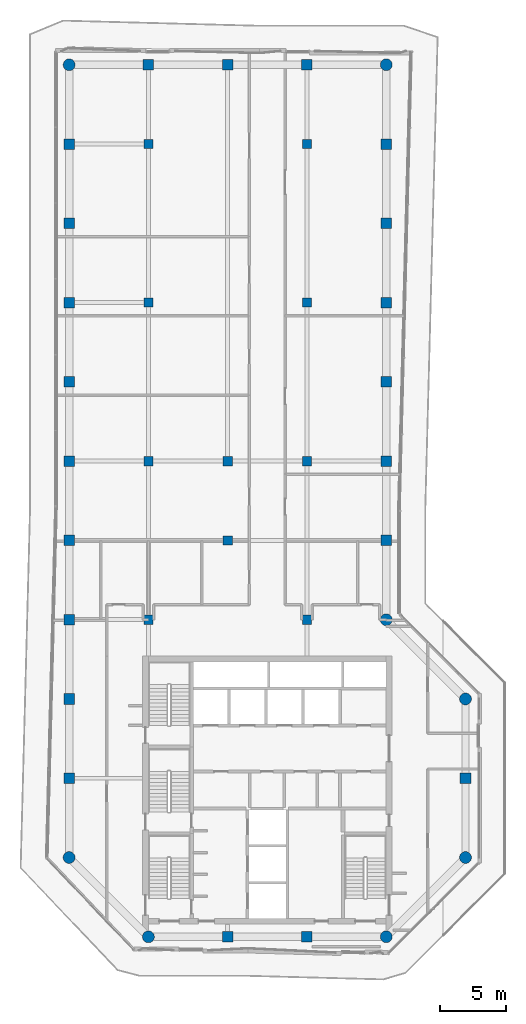
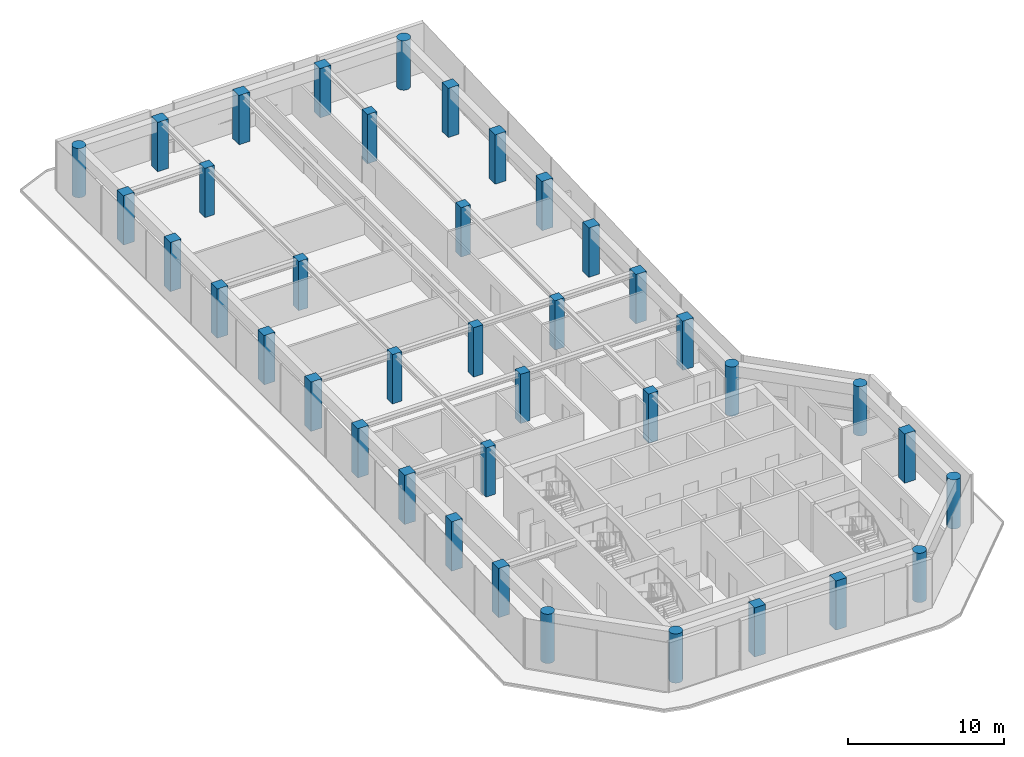
# One storey, part 1 of 19: 39 columns.
"""IFC4 building model written with IfcOpenShell, lengths in metres."""

from ifc_helpers import new_model, si_unit, direction, frame, origin, origin_2d, place, context, subcontext, project, spatial, rectangle, circle, extrude, material, material_profile, profile_set, type_object, element, save


model = new_model("IFC4")

# Units and contexts
model_context = context("Model", 3, precision=1e-05, world=origin(), true_north=direction((0.0, 1.0)))
body_context = subcontext(model_context, "Body", "Model", "MODEL_VIEW")
ifc_project = project(units=[si_unit("LENGTHUNIT", "METRE"), si_unit("AREAUNIT", "SQUARE_METRE"), si_unit("VOLUMEUNIT", "CUBIC_METRE"), si_unit("PLANEANGLEUNIT", "RADIAN"), si_unit("MASSUNIT", "GRAM", prefix="KILO")], contexts=[model_context])

# Site, building, storey
site_placement = place(None, origin())
site = spatial("IfcSite", under=ifc_project, at=site_placement, CompositionType="ELEMENT")
building_placement = place(site_placement, origin())
building = spatial("IfcBuilding", under=site, at=building_placement, Name="Welwitschia Terrace Campus", CompositionType="ELEMENT")
storey_placement = place(building_placement, frame((0.0, 0.0, 234.800048828125)))
storey = spatial("IfcBuildingStorey", under=building, at=storey_placement, Name="L52", CompositionType="ELEMENT", Elevation=234.800048828125)

# Columns
ifc_material_1 = material(Name="Concrete C50/60", Category="concrete")
ifc_material_profile_1 = material_profile(ifc_material_1, circle(Radius=0.449951171875, at=origin_2d()))
ifc_profile_set_1 = profile_set([ifc_material_profile_1], Name="Concrete C50/60")
column_type_1 = type_object("IfcColumnType", Name="Corner column 900 dia", PredefinedType="COLUMN", material=ifc_profile_set_1)
for number, where, z_axis, x_axis, name in (
    (1, (0.0, 10.0, 0.0), (0.0, 0.0, 1.0), (1.0, 0.0, 0.0), "Column C32"),
    (2, (0.0, 70.0, 0.0), (0.0, 0.0, 1.0), (1.0, 0.0, 0.0), "Column C32"),
    (3, (6.0, 4.0, 0.0), (0.0, 0.0, 1.0), (1.0, 0.0, 0.0), "Column C32"),
    (4, (24.0, 4.0, 0.0), (0.0, 0.0, 1.0), (1.0, 0.0, 0.0), "Column C32"),
    (5, (24.0, 28.0, 0.0), (0.0, 0.0, 1.0), (1.0, 0.0, 0.0), "Column C32"),
    (6, (24.0, 70.0, 0.0), (0.0, 0.0, 1.0), (1.0, 0.0, 0.0), "Column C32"),
    (7, (30.0, 10.0, 0.0), (0.0, 0.0, 1.0), (1.0, 0.0, 0.0), "Column C32"),
    (8, (30.0, 22.0, 0.0), (0.0, 0.0, 1.0), (1.0, 0.0, 0.0), "Column C32"),
):
    element("IfcColumn", number, at=place(storey_placement, frame(where, z_axis=z_axis, x_axis=x_axis)), inside=storey, type_object=column_type_1, Name=name, PredefinedType="COLUMN", context=body_context, shape_type="SweptSolid", body=[
        extrude(circle(Radius=0.449951171875, at=origin_2d()), origin(), (0.0, 0.0, 1.0), 3.849853515625),
    ])
ifc_material_2 = material(Name="Concrete C50/60", Category="concrete")
ifc_material_profile_2 = material_profile(ifc_material_2, rectangle(XDim=0.699951171875, YDim=0.699951171875, at=origin_2d()))
ifc_profile_set_2 = profile_set([ifc_material_profile_2], Name="Concrete C50/60")
column_type_2 = type_object("IfcColumnType", Name="Interior column 700x700", PredefinedType="COLUMN", material=ifc_profile_set_2)
for number, where, z_axis, x_axis, name in (
    (9, (6.0, 28.0, 0.0), (0.0, 0.0, 1.0), (1.0, 0.0, 0.0), "Column C34"),
    (10, (6.0, 40.0, 0.0), (0.0, 0.0, 1.0), (1.0, 0.0, 0.0), "Column C34"),
    (11, (6.0, 52.0, 0.0), (0.0, 0.0, 1.0), (1.0, 0.0, 0.0), "Column C34"),
    (12, (6.0, 64.0, 0.0), (0.0, 0.0, 1.0), (1.0, 0.0, 0.0), "Column C34"),
    (13, (12.0, 34.0, 0.0), (0.0, 0.0, 1.0), (1.0, 0.0, 0.0), "Column C34"),
    (14, (12.0, 40.0, 0.0), (0.0, 0.0, 1.0), (1.0, 0.0, 0.0), "Column C34"),
    (15, (18.0, 28.0, 0.0), (0.0, 0.0, 1.0), (1.0, 0.0, 0.0), "Column C34"),
    (16, (18.0, 40.0, 0.0), (0.0, 0.0, 1.0), (1.0, 0.0, 0.0), "Column C34"),
    (17, (18.0, 52.0, 0.0), (0.0, 0.0, 1.0), (1.0, 0.0, 0.0), "Column C34"),
    (18, (18.0, 64.0, 0.0), (0.0, 0.0, 1.0), (1.0, 0.0, 0.0), "Column C34"),
):
    element("IfcColumn", number, at=place(storey_placement, frame(where, z_axis=z_axis, x_axis=x_axis)), inside=storey, type_object=column_type_2, Name=name, PredefinedType="COLUMN", context=body_context, shape_type="SweptSolid", body=[
        extrude(rectangle(XDim=0.699951171875, YDim=0.699951171875, at=origin_2d()), origin(), (0.0, 0.0, 1.0), 3.849853515625),
    ])
ifc_material_3 = material(Name="Concrete C50/60", Category="concrete")
ifc_material_profile_3 = material_profile(ifc_material_3, rectangle(XDim=0.800048828125, YDim=0.800048828125, at=origin_2d()))
ifc_profile_set_3 = profile_set([ifc_material_profile_3], Name="Concrete C50/60")
column_type_3 = type_object("IfcColumnType", Name="Ring column 800x800", PredefinedType="COLUMN", material=ifc_profile_set_3)
for number, where, z_axis, x_axis, name in (
    (19, (0.0, 16.0, 0.0), (0.0, 0.0, 1.0), (1.0, 0.0, 0.0), "Column C33"),
    (20, (0.0, 22.0, 0.0), (0.0, 0.0, 1.0), (1.0, 0.0, 0.0), "Column C33"),
    (21, (0.0, 28.0, 0.0), (0.0, 0.0, 1.0), (1.0, 0.0, 0.0), "Column C33"),
    (22, (0.0, 34.0, 0.0), (0.0, 0.0, 1.0), (1.0, 0.0, 0.0), "Column C33"),
    (23, (0.0, 40.0, 0.0), (0.0, 0.0, 1.0), (1.0, 0.0, 0.0), "Column C33"),
    (24, (0.0, 46.0, 0.0), (0.0, 0.0, 1.0), (1.0, 0.0, 0.0), "Column C33"),
    (25, (0.0, 52.0, 0.0), (0.0, 0.0, 1.0), (1.0, 0.0, 0.0), "Column C33"),
    (26, (0.0, 58.0, 0.0), (0.0, 0.0, 1.0), (1.0, 0.0, 0.0), "Column C33"),
    (27, (0.0, 64.0, 0.0), (0.0, 0.0, 1.0), (1.0, 0.0, 0.0), "Column C33"),
    (28, (6.0, 70.0, 0.0), (0.0, 0.0, 1.0), (1.0, 0.0, 0.0), "Column C33"),
    (29, (12.0, 4.0, 0.0), (0.0, 0.0, 1.0), (1.0, 0.0, 0.0), "Column C33"),
    (30, (12.0, 70.0, 0.0), (0.0, 0.0, 1.0), (1.0, 0.0, 0.0), "Column C33"),
    (31, (18.0, 4.0, 0.0), (0.0, 0.0, 1.0), (1.0, 0.0, 0.0), "Column C33"),
    (32, (18.0, 70.0, 0.0), (0.0, 0.0, 1.0), (1.0, 0.0, 0.0), "Column C33"),
    (33, (24.0, 34.0, 0.0), (0.0, 0.0, 1.0), (1.0, 0.0, 0.0), "Column C33"),
    (34, (24.0, 40.0, 0.0), (0.0, 0.0, 1.0), (1.0, 0.0, 0.0), "Column C33"),
    (35, (24.0, 46.0, 0.0), (0.0, 0.0, 1.0), (1.0, 0.0, 0.0), "Column C33"),
    (36, (24.0, 52.0, 0.0), (0.0, 0.0, 1.0), (1.0, 0.0, 0.0), "Column C33"),
    (37, (24.0, 58.0, 0.0), (0.0, 0.0, 1.0), (1.0, 0.0, 0.0), "Column C33"),
    (38, (24.0, 64.0, 0.0), (0.0, 0.0, 1.0), (1.0, 0.0, 0.0), "Column C33"),
    (39, (30.0, 16.0, 0.0), (0.0, 0.0, 1.0), (1.0, 0.0, 0.0), "Column C33"),
):
    element("IfcColumn", number, at=place(storey_placement, frame(where, z_axis=z_axis, x_axis=x_axis)), inside=storey, type_object=column_type_3, Name=name, PredefinedType="COLUMN", context=body_context, shape_type="SweptSolid", body=[
        extrude(rectangle(XDim=0.800048828125, YDim=0.800048828125, at=origin_2d()), origin(), (0.0, 0.0, 1.0), 3.849853515625),
    ])

save(model, "model.ifc")
